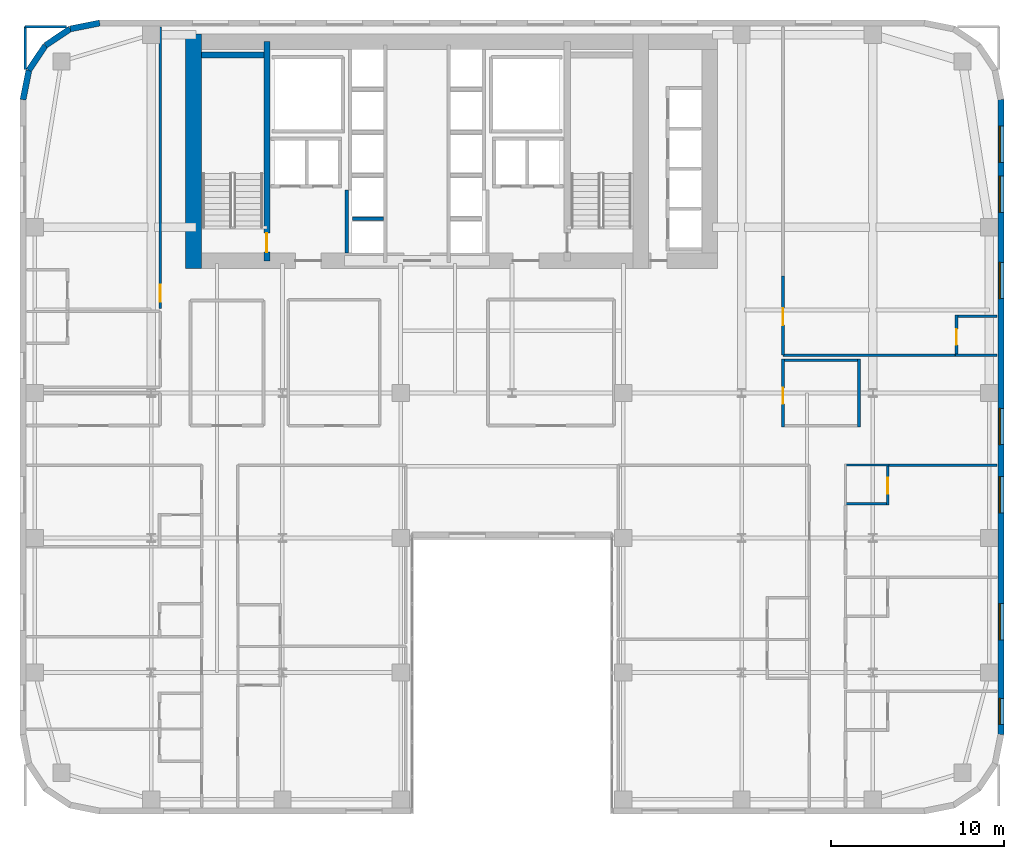
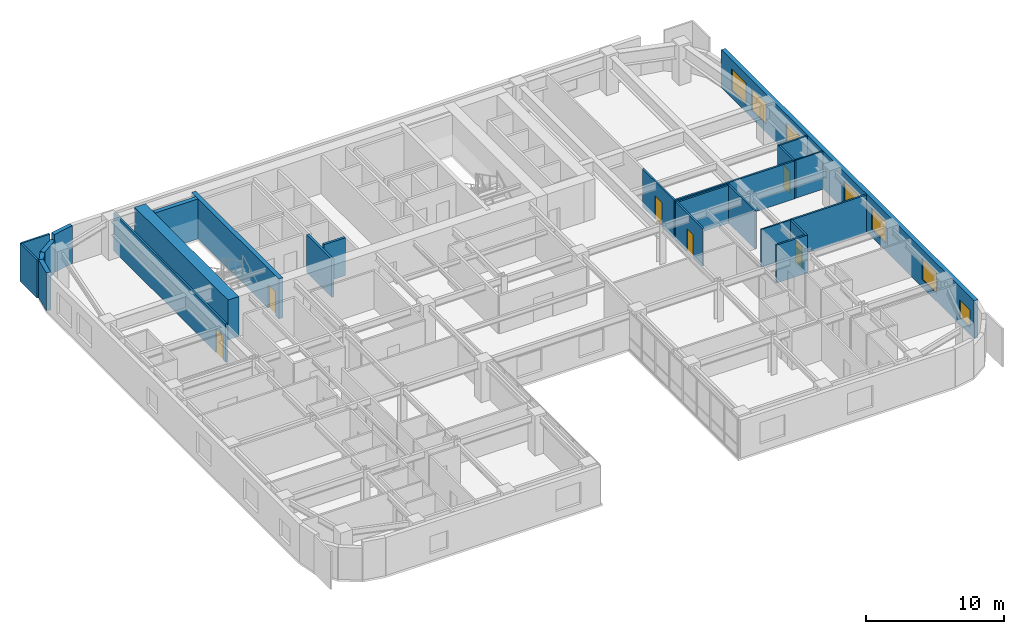
# One storey, part 13 of 16: 25 walls, 7 windows, 6 doors, 13 openings.
"""IFC4 building model written with IfcOpenShell, lengths in metres."""

from ifc_helpers import new_model, si_unit, direction, frame, frame_2d, origin, place, context, subcontext, project, spatial, rectangle, extrude, source, transform, mapped, material, layer, layer_set, type_object, type_shapes, element, fill, save


model = new_model("IFC4")

# Units and contexts
model_context = context("Model", 3, precision=1e-05, world=origin(), true_north=direction((0.0, 1.0)))
body_context = subcontext(model_context, "Body", "Model", "MODEL_VIEW")
ifc_project = project(units=[si_unit("LENGTHUNIT", "METRE"), si_unit("AREAUNIT", "SQUARE_METRE"), si_unit("VOLUMEUNIT", "CUBIC_METRE"), si_unit("PLANEANGLEUNIT", "RADIAN"), si_unit("MASSUNIT", "GRAM", prefix="KILO")], contexts=[model_context])

# Site, building, storey
site_placement = place(None, origin())
site = spatial("IfcSite", under=ifc_project, at=site_placement, CompositionType="ELEMENT")
building_placement = place(site_placement, origin())
building = spatial("IfcBuilding", under=site, at=building_placement, Name="Tolvann Quenvar Hotel", CompositionType="ELEMENT")
storey_placement = place(building_placement, frame((0.0, 0.0, 63.949951171875)))
storey = spatial("IfcBuildingStorey", under=building, at=storey_placement, Name="L15", CompositionType="ELEMENT", Elevation=63.949951171875)

# Wall
ifc_material_1 = material(Name="Concrete S80 (80 MPa)", Category="concrete")
ifc_layer_1 = layer(ifc_material_1, 0.89990234375)
ifc_layer_set_1 = layer_set([ifc_layer_1], Name="Concrete S80 (80 MPa)")
wall_type_1 = type_object("IfcWallType", Name="WALL_CORE_900", PredefinedType="SHEAR", material=ifc_layer_set_1)
wall_1_placement = place(storey_placement, frame((10.050048828125, 31.60009765625, 0.0), z_axis=(0.0, 0.0, 1.0), x_axis=(0.0, 1.0, 0.0)))
element("IfcWall", 1, at=wall_1_placement, inside=storey, type_object=wall_type_1, Name="Rear Core W Shear Wall (L15)", PredefinedType="SHEAR", context=body_context, shape_type="SweptSolid", body=[
    extrude(rectangle(XDim=13.599853515625, YDim=0.89990234375, at=frame_2d((6.7998046875, 0.0))), origin(), (0.0, 0.0, 1.0), 3.550048828125),
])

# Wall, opening, door
ifc_material_2 = material(Name="Concrete S65 (65 MPa)", Category="concrete")
ifc_layer_2 = layer(ifc_material_2, 0.35009765625)
ifc_layer_set_2 = layer_set([ifc_layer_2], Name="Concrete S65 (65 MPa)")
wall_type_2 = type_object("IfcWallType", Name="WALL_CORE_INT_350", PredefinedType="SHEAR", material=ifc_layer_set_2)
wall_2_placement = place(storey_placement, frame((14.300048828125, 32.050048828125, 0.0), z_axis=(0.0, 0.0, 1.0), x_axis=(0.0, 1.0, 0.0)))
wall_2 = element("IfcWall", 2, at=wall_2_placement, inside=storey, type_object=wall_type_2, Name="Core Internal Web Shear Wall WEB-W (L15)", PredefinedType="SHEAR", context=body_context, shape_type="SweptSolid", body=[
    extrude(rectangle(XDim=12.699951171875, YDim=0.35009765625, at=frame_2d((6.35009765625, 0.0))), origin(), (0.0, 0.0, 1.0), 3.550048828125),
])
opening_1_placement = place(wall_2_placement, frame((0.5, 0.0, 0.0)))
opening_1 = element("IfcOpeningElement", 3, at=opening_1_placement, cuts=wall_2, Name="Opening FD-120", PredefinedType="OPENING", context=body_context, shape_type="SweptSolid", body=[
    extrude(rectangle(XDim=1.10009765625, YDim=2.1201171875, at=frame_2d((0.550048828125, 1.06005859375))), frame((0.0, 0.18505859375, 0.0), z_axis=(0.0, -1.0, 0.0), x_axis=(1.0, 0.0, 0.0)), (0.0, 0.0, 1.0), 0.3701171875),
])
ifc_material_3 = material(Name="Pressed galvanised steel fire-rated door set", Category="steel")
door_type_1 = type_object("IfcDoorType", Name="DOOR_FIRE_STAIR_1100", OperationType="NOTDEFINED", PredefinedType="DOOR", material=ifc_material_3)
shared_shape_1 = source(origin(), body_context, "Body", "SweptSolid", [
    extrude(rectangle(XDim=1.10009765625, YDim=2.1201171875, at=frame_2d((0.550048828125, 1.06005859375))), frame((0.0, 0.02490234375, 0.0), z_axis=(0.0, -1.0, 0.0), x_axis=(1.0, 0.0, 0.0)), (0.0, 0.0, 1.0), 0.050048828125),
])
type_shapes(door_type_1, [shared_shape_1])
door_1_placement = place(opening_1_placement, origin())
door_1 = element("IfcDoor", 4, at=door_1_placement, inside=storey, type_object=door_type_1, Name="Exit Stair ST-C1 Fire Door (L15)", OperationType="SINGLE_SWING_RIGHT", OverallHeight=2.1201171875, OverallWidth=1.10009765625, PredefinedType="DOOR", context=body_context, shape_type="MappedRepresentation", body=[
    mapped(shared_shape_1, transform((0.0, 0.0, 0.0), x_axis=(1.0, 0.0, 0.0), y_axis=(0.0, 1.0, 0.0), z_axis=(0.0, 0.0, 1.0), scale=1.0)),
])
fill(opening_1, door_1)

# Wall
wall_3_placement = place(storey_placement, frame((10.52001953125, 43.97509765625, 0.0), z_axis=(0.0, 0.0, 1.0), x_axis=(1.0, 0.0, 0.0)))
element("IfcWall", 5, at=wall_3_placement, inside=storey, type_object=wall_type_2, Name="Core Stair North Closing Shear Wall STC1-N (L15)", PredefinedType="SHEAR", context=body_context, shape_type="SweptSolid", body=[
    extrude(rectangle(XDim=3.60009765625, YDim=0.35009765625, at=frame_2d((1.800048828125, 0.0))), origin(), (0.0, 0.0, 1.0), 3.550048828125),
])

# Wall, openings, windows
ifc_material_4 = material(Name="Kiln-fired red and buff architectural clay brickwork and terracotta masonry", Category="masonry")
ifc_layer_3 = layer(ifc_material_4, 0.35009765625)
ifc_layer_set_3 = layer_set([ifc_layer_3], Name="Kiln-fired red and buff architectural clay brickwork and terracotta masonry")
wall_type_3 = type_object("IfcWallType", Name="WALL_EXT_BRICK_350", PredefinedType="SOLIDWALL", material=ifc_layer_set_3)
wall_4_placement = place(storey_placement, frame((56.824951171875, 4.6171875, 0.0), z_axis=(0.0, 0.0, 1.0), x_axis=(0.0, 1.0, 0.0)))
wall_4 = element("IfcWall", 6, at=wall_4_placement, inside=storey, type_object=wall_type_3, Name="Exterior Chicago Brick Wall L15-E13", PredefinedType="SOLIDWALL", context=body_context, shape_type="SweptSolid", body=[
    extrude(rectangle(XDim=36.765625, YDim=0.35009765625, at=frame_2d((18.3828125, 0.0))), origin(), (0.0, 0.0, 1.0), 3.3701171875),
])
opening_2_placement = place(wall_4_placement, frame((5.47802734375, 0.0, 0.679931640625)))
opening_2 = element("IfcOpeningElement", 7, at=opening_2_placement, cuts=wall_4, Name="Opening W-02", PredefinedType="OPENING", context=body_context, shape_type="SweptSolid", body=[
    extrude(rectangle(XDim=2.10009765625, YDim=1.89990234375, at=frame_2d((1.050048828125, 0.949951171875))), frame((0.0, 0.18505859375, 0.0), z_axis=(0.0, -1.0, 0.0), x_axis=(1.0, 0.0, 0.0)), (0.0, 0.0, 1.0), 0.3701171875),
])
opening_3_placement = place(wall_4_placement, frame((12.8310546875, 0.0, 0.679931640625)))
opening_3 = element("IfcOpeningElement", 8, at=opening_3_placement, cuts=wall_4, Name="Opening W-02", PredefinedType="OPENING", context=body_context, shape_type="SweptSolid", body=[
    extrude(rectangle(XDim=2.10009765625, YDim=1.89990234375, at=frame_2d((1.050048828125, 0.949951171875))), frame((0.0, 0.18505859375, 0.0), z_axis=(0.0, -1.0, 0.0), x_axis=(1.0, 0.0, 0.0)), (0.0, 0.0, 1.0), 0.3701171875),
])
opening_4_placement = place(wall_4_placement, frame((16.782958984375, 0.0, 0.679931640625)))
opening_4 = element("IfcOpeningElement", 9, at=opening_4_placement, cuts=wall_4, Name="Opening W-02", PredefinedType="OPENING", context=body_context, shape_type="SweptSolid", body=[
    extrude(rectangle(XDim=2.10009765625, YDim=1.89990234375, at=frame_2d((1.050048828125, 0.949951171875))), frame((0.0, 0.18505859375, 0.0), z_axis=(0.0, -1.0, 0.0), x_axis=(1.0, 0.0, 0.0)), (0.0, 0.0, 1.0), 0.3701171875),
])
opening_5_placement = place(wall_4_placement, frame((25.236083984375, 0.0, 0.679931640625)))
opening_5 = element("IfcOpeningElement", 10, at=opening_5_placement, cuts=wall_4, Name="Opening W-02", PredefinedType="OPENING", context=body_context, shape_type="SweptSolid", body=[
    extrude(rectangle(XDim=2.10009765625, YDim=1.89990234375, at=frame_2d((1.050048828125, 0.949951171875))), frame((0.0, 0.18505859375, 0.0), z_axis=(0.0, -1.0, 0.0), x_axis=(1.0, 0.0, 0.0)), (0.0, 0.0, 1.0), 0.3701171875),
])
opening_6_placement = place(wall_4_placement, frame((30.238037109375, 0.0, 0.679931640625)))
opening_6 = element("IfcOpeningElement", 11, at=opening_6_placement, cuts=wall_4, Name="Opening W-02", PredefinedType="OPENING", context=body_context, shape_type="SweptSolid", body=[
    extrude(rectangle(XDim=2.10009765625, YDim=1.89990234375, at=frame_2d((1.050048828125, 0.949951171875))), frame((0.0, 0.18505859375, 0.0), z_axis=(0.0, -1.0, 0.0), x_axis=(1.0, 0.0, 0.0)), (0.0, 0.0, 1.0), 0.3701171875),
])
opening_7_placement = place(wall_4_placement, frame((33.139892578125, 0.0, 0.679931640625)))
opening_7 = element("IfcOpeningElement", 12, at=opening_7_placement, cuts=wall_4, Name="Opening W-02", PredefinedType="OPENING", context=body_context, shape_type="SweptSolid", body=[
    extrude(rectangle(XDim=2.10009765625, YDim=1.89990234375, at=frame_2d((1.050048828125, 0.949951171875))), frame((0.0, 0.18505859375, 0.0), z_axis=(0.0, -1.0, 0.0), x_axis=(1.0, 0.0, 0.0)), (0.0, 0.0, 1.0), 0.3701171875),
])
opening_8_placement = place(wall_4_placement, frame((0.5859375, 0.0, 0.6201171875)))
opening_8 = element("IfcOpeningElement", 13, at=opening_8_placement, cuts=wall_4, Name="Opening W-08", PredefinedType="OPENING", context=body_context, shape_type="SweptSolid", body=[
    extrude(rectangle(XDim=1.5, YDim=1.550048828125, at=frame_2d((0.75, 0.77490234375))), frame((0.0, 0.18505859375, 0.0), z_axis=(0.0, -1.0, 0.0), x_axis=(1.0, 0.0, 0.0)), (0.0, 0.0, 1.0), 0.3701171875),
])
ifc_material_5 = material(Name="Thermally broken bronze-anodised aluminium frame with double low-E glazing", Category="aluminium")
window_type_1 = type_object("IfcWindowType", Name="WIN_COR_1500x2050", PartitioningType="SINGLE_PANEL", PredefinedType="WINDOW", material=ifc_material_5)
shared_shape_2 = source(origin(), body_context, "Body", "SweptSolid", [
    extrude(rectangle(XDim=1.5, YDim=1.550048828125, at=frame_2d((0.75, 0.77490234375))), frame((0.0, 0.090087890625, 0.0), z_axis=(0.0, -1.0, 0.0), x_axis=(1.0, 0.0, 0.0)), (0.0, 0.0, 1.0), 0.06005859375),
])
type_shapes(window_type_1, [shared_shape_2])
window_1_placement = place(opening_8_placement, origin())
window_1 = element("IfcWindow", 14, at=window_1_placement, inside=storey, type_object=window_type_1, Name="Chicago Window W-08 (EW-L15-E13-WD07)", OverallHeight=1.550048828125, OverallWidth=1.5, PartitioningType="SINGLE_PANEL", PredefinedType="WINDOW", context=body_context, shape_type="MappedRepresentation", body=[
    mapped(shared_shape_2, transform((0.0, 0.0, 0.0), x_axis=(1.0, 0.0, 0.0), y_axis=(0.0, 1.0, 0.0), z_axis=(0.0, 0.0, 1.0), scale=1.0)),
])
fill(opening_8, window_1)
window_type_2 = type_object("IfcWindowType", Name="WIN_CHI_2100x2050", PartitioningType="TRIPLE_PANEL_HORIZONTAL", PredefinedType="WINDOW", material=ifc_material_5)
shared_shape_3 = source(origin(), body_context, "Body", "SweptSolid", [
    extrude(rectangle(XDim=2.10009765625, YDim=1.89990234375, at=frame_2d((1.050048828125, 0.949951171875))), frame((0.0, 0.090087890625, 0.0), z_axis=(0.0, -1.0, 0.0), x_axis=(1.0, 0.0, 0.0)), (0.0, 0.0, 1.0), 0.06005859375),
])
type_shapes(window_type_2, [shared_shape_3])
window_2_placement = place(opening_2_placement, origin())
window_2 = element("IfcWindow", 15, at=window_2_placement, inside=storey, type_object=window_type_2, Name="Chicago Window W-02 (EW-L15-E13-W01)", OverallHeight=1.89990234375, OverallWidth=2.10009765625, PartitioningType="TRIPLE_PANEL_HORIZONTAL", PredefinedType="WINDOW", context=body_context, shape_type="MappedRepresentation", body=[
    mapped(shared_shape_3, transform((0.0, 0.0, 0.0), x_axis=(1.0, 0.0, 0.0), y_axis=(0.0, 1.0, 0.0), z_axis=(0.0, 0.0, 1.0), scale=1.0)),
])
fill(opening_2, window_2)
window_3_placement = place(opening_3_placement, origin())
window_3 = element("IfcWindow", 16, at=window_3_placement, inside=storey, type_object=window_type_2, Name="Chicago Window W-02 (EW-L15-E13-W02)", OverallHeight=1.89990234375, OverallWidth=2.10009765625, PartitioningType="TRIPLE_PANEL_HORIZONTAL", PredefinedType="WINDOW", context=body_context, shape_type="MappedRepresentation", body=[
    mapped(shared_shape_3, transform((0.0, 0.0, 0.0), x_axis=(1.0, 0.0, 0.0), y_axis=(0.0, 1.0, 0.0), z_axis=(0.0, 0.0, 1.0), scale=1.0)),
])
fill(opening_3, window_3)
window_4_placement = place(opening_4_placement, origin())
window_4 = element("IfcWindow", 17, at=window_4_placement, inside=storey, type_object=window_type_2, Name="Chicago Window W-02 (EW-L15-E13-W03)", OverallHeight=1.89990234375, OverallWidth=2.10009765625, PartitioningType="TRIPLE_PANEL_HORIZONTAL", PredefinedType="WINDOW", context=body_context, shape_type="MappedRepresentation", body=[
    mapped(shared_shape_3, transform((0.0, 0.0, 0.0), x_axis=(1.0, 0.0, 0.0), y_axis=(0.0, 1.0, 0.0), z_axis=(0.0, 0.0, 1.0), scale=1.0)),
])
fill(opening_4, window_4)
window_5_placement = place(opening_5_placement, origin())
window_5 = element("IfcWindow", 18, at=window_5_placement, inside=storey, type_object=window_type_2, Name="Chicago Window W-02 (EW-L15-E13-W04)", OverallHeight=1.89990234375, OverallWidth=2.10009765625, PartitioningType="TRIPLE_PANEL_HORIZONTAL", PredefinedType="WINDOW", context=body_context, shape_type="MappedRepresentation", body=[
    mapped(shared_shape_3, transform((0.0, 0.0, 0.0), x_axis=(1.0, 0.0, 0.0), y_axis=(0.0, 1.0, 0.0), z_axis=(0.0, 0.0, 1.0), scale=1.0)),
])
fill(opening_5, window_5)
window_6_placement = place(opening_6_placement, origin())
window_6 = element("IfcWindow", 19, at=window_6_placement, inside=storey, type_object=window_type_2, Name="Chicago Window W-02 (EW-L15-E13-W05)", OverallHeight=1.89990234375, OverallWidth=2.10009765625, PartitioningType="TRIPLE_PANEL_HORIZONTAL", PredefinedType="WINDOW", context=body_context, shape_type="MappedRepresentation", body=[
    mapped(shared_shape_3, transform((0.0, 0.0, 0.0), x_axis=(1.0, 0.0, 0.0), y_axis=(0.0, 1.0, 0.0), z_axis=(0.0, 0.0, 1.0), scale=1.0)),
])
fill(opening_6, window_6)
window_7_placement = place(opening_7_placement, origin())
window_7 = element("IfcWindow", 20, at=window_7_placement, inside=storey, type_object=window_type_2, Name="Chicago Window W-02 (EW-L15-E13-W06)", OverallHeight=1.89990234375, OverallWidth=2.10009765625, PartitioningType="TRIPLE_PANEL_HORIZONTAL", PredefinedType="WINDOW", context=body_context, shape_type="MappedRepresentation", body=[
    mapped(shared_shape_3, transform((0.0, 0.0, 0.0), x_axis=(1.0, 0.0, 0.0), y_axis=(0.0, 1.0, 0.0), z_axis=(0.0, 0.0, 1.0), scale=1.0)),
])
fill(opening_7, window_7)

# Walls
wall_5_placement = place(storey_placement, frame((4.6171875, 45.824951171875, 0.0), z_axis=(0.0, 0.0, 1.0), x_axis=(-0.980800971659, -0.195011420161, 0.0)))
element("IfcWall", 21, at=wall_5_placement, inside=storey, type_object=wall_type_3, Name="Exterior Chicago Brick Wall L15-E19", PredefinedType="SOLIDWALL", context=body_context, shape_type="SweptSolid", body=[
    extrude(rectangle(XDim=1.74267578125, YDim=0.35009765625, at=frame_2d((0.871337890625, 0.0))), origin(), (0.0, 0.0, 1.0), 3.3701171875),
])
for number, where, z_axis, x_axis, name in (
    (22, (2.907958984375, 45.485107421875, 0.0), (0.0, 0.0, 1.0), (-0.831483840845, -0.55554893791, 0.0), "Exterior Chicago Brick Wall L15-E20"),
    (23, (1.473388671875, 44.526611328125, 0.0), (0.0, 0.0, 1.0), (-0.55554893791, -0.831483840845, 0.0), "Exterior Chicago Brick Wall L15-E21"),
):
    element("IfcWall", number, at=place(storey_placement, frame(where, z_axis=z_axis, x_axis=x_axis)), inside=storey, type_object=wall_type_3, Name=name, PredefinedType="SOLIDWALL", context=body_context, shape_type="SweptSolid", body=[
        extrude(rectangle(XDim=1.725341796875, YDim=0.35009765625, at=frame_2d((0.86279296875, 0.0))), origin(), (0.0, 0.0, 1.0), 2.83203125),
    ])
wall_6_placement = place(storey_placement, frame((0.514892578125, 43.092041015625, 0.0), z_axis=(0.0, 0.0, 1.0), x_axis=(-0.195011420161, -0.980800971659, 0.0)))
element("IfcWall", 24, at=wall_6_placement, inside=storey, type_object=wall_type_3, Name="Exterior Chicago Brick Wall L15-E22", PredefinedType="SOLIDWALL", context=body_context, shape_type="SweptSolid", body=[
    extrude(rectangle(XDim=1.74267578125, YDim=0.35009765625, at=frame_2d((0.871337890625, 0.0))), origin(), (0.0, 0.0, 1.0), 3.3701171875),
])
ifc_material_6 = material(Name="Moisture-resistant acoustic plumbing wall assembly")
ifc_layer_4 = layer(ifc_material_6, 0.1201171875)
ifc_layer_set_4 = layer_set([ifc_layer_4], Name="Moisture-resistant acoustic plumbing wall assembly")
wall_type_4 = type_object("IfcWallType", Name="WALL_PART_BATH_120", PredefinedType="PLUMBINGWALL", material=ifc_layer_set_4)
wall_7_placement = place(storey_placement, frame((47.75, 20.219970703125, 0.0), z_axis=(0.0, 0.0, 1.0), x_axis=(1.0, 0.0, 0.0)))
element("IfcWall", 25, at=wall_7_placement, inside=storey, type_object=wall_type_4, Name="Non-Rated Plumbing Partition PT-SPC-L15-ENS-EO03-N", PredefinedType="PLUMBINGWALL", context=body_context, shape_type="SweptSolid", body=[
    extrude(rectangle(XDim=2.590087890625, YDim=0.1201171875, at=frame_2d((1.294921875, 0.0))), origin(), (0.0, 0.0, 1.0), 3.3701171875),
])
wall_8_placement = place(storey_placement, frame((54.179931640625, 26.580078125, 0.0), z_axis=(0.0, 0.0, 1.0), x_axis=(1.0, 0.0, 0.0)))
element("IfcWall", 26, at=wall_8_placement, inside=storey, type_object=wall_type_4, Name="Non-Rated Plumbing Partition PT-SPC-L15-ENS-NE01-S", PredefinedType="PLUMBINGWALL", context=body_context, shape_type="SweptSolid", body=[
    extrude(rectangle(XDim=2.4150390625, YDim=0.1201171875, at=frame_2d((1.20751953125, 0.0))), origin(), (0.0, 0.0, 1.0), 3.3701171875),
])

# Wall, opening, door
ifc_material_7 = material(Name="Acoustic twin-stud fire-rated gypsum plasterboard partition")
ifc_layer_5 = layer(ifc_material_7, 0.14990234375)
ifc_layer_set_5 = layer_set([ifc_layer_5], Name="Acoustic twin-stud fire-rated gypsum plasterboard partition")
wall_type_5 = type_object("IfcWallType", Name="WALL_PART_SUITE_150", PredefinedType="PARTITIONING", material=ifc_layer_set_5)
wall_9_placement = place(storey_placement, frame((50.27001953125, 17.89990234375, 0.0), z_axis=(0.0, 0.0, 1.0), x_axis=(0.0, 1.0, 0.0)))
wall_9 = element("IfcWall", 27, at=wall_9_placement, inside=storey, type_object=wall_type_5, Name="Interior Partition PT-SPC-L15-ENS-EO03-ENT", PredefinedType="PARTITIONING", context=body_context, shape_type="SweptSolid", body=[
    extrude(rectangle(XDim=2.39013671875, YDim=0.14990234375, at=frame_2d((1.195068359375, 0.0))), origin(), (0.0, 0.0, 1.0), 3.3701171875),
])
opening_9_placement = place(wall_9_placement, frame((0.6650390625, 0.0, 0.0)))
opening_9 = element("IfcOpeningElement", 28, at=opening_9_placement, cuts=wall_9, Name="Opening WD-01", PredefinedType="OPENING", context=body_context, shape_type="SweptSolid", body=[
    extrude(rectangle(XDim=0.919921875, YDim=2.010009765625, at=frame_2d((0.4599609375, 1.0048828125))), frame((0.0, 0.0849609375, 0.0), z_axis=(0.0, -1.0, 0.0), x_axis=(1.0, 0.0, 0.0)), (0.0, 0.0, 1.0), 0.169921875),
])
ifc_material_8 = material(Name="Solid-core American oak acoustic fire door leaf in steel frame", Category="steel")
door_type_2 = type_object("IfcDoorType", Name="DOOR_WC_920", OperationType="NOTDEFINED", PredefinedType="DOOR", material=ifc_material_8)
shared_shape_4 = source(origin(), body_context, "Body", "SweptSolid", [
    extrude(rectangle(XDim=0.919921875, YDim=2.010009765625, at=frame_2d((0.4599609375, 1.0048828125))), frame((0.0, 0.02490234375, 0.0), z_axis=(0.0, -1.0, 0.0), x_axis=(1.0, 0.0, 0.0)), (0.0, 0.0, 1.0), 0.050048828125),
])
type_shapes(door_type_2, [shared_shape_4])
door_2_placement = place(opening_9_placement, origin())
door_2 = element("IfcDoor", 29, at=door_2_placement, inside=storey, type_object=door_type_2, Name="Interior Door DOOR-SPC-L15-ENS-EO03", OperationType="SINGLE_SWING_RIGHT", OverallHeight=2.010009765625, OverallWidth=0.919921875, PredefinedType="DOOR", context=body_context, shape_type="MappedRepresentation", body=[
    mapped(shared_shape_4, transform((0.0, 0.0, 0.0), x_axis=(1.0, 0.0, 0.0), y_axis=(0.0, 1.0, 0.0), z_axis=(0.0, 0.0, 1.0), scale=1.0)),
])
fill(opening_9, door_2)

# Wall
wall_10_placement = place(storey_placement, frame((47.75, 17.969970703125, 0.0), z_axis=(0.0, 0.0, 1.0), x_axis=(1.0, 0.0, 0.0)))
element("IfcWall", 30, at=wall_10_placement, inside=storey, type_object=wall_type_5, Name="Interior Partition PT-SPC-L15-ENS-EO03-S", PredefinedType="PARTITIONING", context=body_context, shape_type="SweptSolid", body=[
    extrude(rectangle(XDim=2.590087890625, YDim=0.14990234375, at=frame_2d((1.294921875, 0.0))), origin(), (0.0, 0.0, 1.0), 3.3701171875),
])

# Wall, opening, door
wall_11_placement = place(storey_placement, frame((54.25, 26.510009765625, 0.0), z_axis=(0.0, 0.0, 1.0), x_axis=(0.0, 1.0, 0.0)))
wall_11 = element("IfcWall", 31, at=wall_11_placement, inside=storey, type_object=wall_type_5, Name="Interior Partition PT-SPC-L15-ENS-NE01-ENT", PredefinedType="PARTITIONING", context=body_context, shape_type="SweptSolid", body=[
    extrude(rectangle(XDim=2.389892578125, YDim=0.14990234375, at=frame_2d((1.19482421875, 0.0))), origin(), (0.0, 0.0, 1.0), 3.3701171875),
])
opening_10_placement = place(wall_11_placement, frame((0.6650390625, 0.0, 0.0)))
opening_10 = element("IfcOpeningElement", 32, at=opening_10_placement, cuts=wall_11, Name="Opening WD-01", PredefinedType="OPENING", context=body_context, shape_type="SweptSolid", body=[
    extrude(rectangle(XDim=0.919921875, YDim=2.010009765625, at=frame_2d((0.4599609375, 1.0048828125))), frame((0.0, 0.0849609375, 0.0), z_axis=(0.0, -1.0, 0.0), x_axis=(1.0, 0.0, 0.0)), (0.0, 0.0, 1.0), 0.169921875),
])
door_3_placement = place(opening_10_placement, origin())
door_3 = element("IfcDoor", 33, at=door_3_placement, inside=storey, type_object=door_type_2, Name="Interior Door DOOR-SPC-L15-ENS-NE01", OperationType="SINGLE_SWING_LEFT", OverallHeight=2.010009765625, OverallWidth=0.919921875, PredefinedType="DOOR", context=body_context, shape_type="MappedRepresentation", body=[
    mapped(shared_shape_4, transform((0.0, 0.0, 0.0), x_axis=(1.0, 0.0, 0.0), y_axis=(0.0, 1.0, 0.0), z_axis=(0.0, 0.0, 1.0), scale=1.0)),
])
fill(opening_10, door_3)

# Walls
wall_12_placement = place(storey_placement, frame((54.179931640625, 28.830078125, 0.0), z_axis=(0.0, 0.0, 1.0), x_axis=(1.0, 0.0, 0.0)))
element("IfcWall", 34, at=wall_12_placement, inside=storey, type_object=wall_type_5, Name="Interior Partition PT-SPC-L15-ENS-NE01-N", PredefinedType="PARTITIONING", context=body_context, shape_type="SweptSolid", body=[
    extrude(rectangle(XDim=2.4150390625, YDim=0.14990234375, at=frame_2d((1.20751953125, 0.0))), origin(), (0.0, 0.0, 1.0), 3.3701171875),
])
wall_13_placement = place(storey_placement, frame((50.2900390625, 20.219970703125, 0.0), z_axis=(0.0, 0.0, 1.0), x_axis=(1.0, 0.0, 0.0)))
element("IfcWall", 35, at=wall_13_placement, inside=storey, type_object=wall_type_5, Name="Interior Partition PT-SPC-L15-RM-EO03-E3", PredefinedType="PARTITIONING", context=body_context, shape_type="SweptSolid", body=[
    extrude(rectangle(XDim=6.304931640625, YDim=0.14990234375, at=frame_2d((3.15234375, 0.0))), origin(), (0.0, 0.0, 1.0), 3.3701171875),
])

# Wall, opening, door
wall_14_placement = place(storey_placement, frame((8.1201171875, 29.280029296875, 0.0), z_axis=(0.0, 0.0, 1.0), x_axis=(0.0, 1.0, 0.0)))
wall_14 = element("IfcWall", 36, at=wall_14_placement, inside=storey, type_object=wall_type_5, Name="Interior Partition PT-SPC-L15-RM-NW02-ENT", PredefinedType="PARTITIONING", context=body_context, shape_type="SweptSolid", body=[
    extrude(rectangle(XDim=16.31494140625, YDim=0.14990234375, at=frame_2d((8.157470703125, 0.0))), origin(), (0.0, 0.0, 1.0), 3.3701171875),
])
opening_11_placement = place(wall_14_placement, frame((0.39501953125, 0.0, 0.0)))
opening_11 = element("IfcOpeningElement", 37, at=opening_11_placement, cuts=wall_14, Name="Opening SD-01", PredefinedType="OPENING", context=body_context, shape_type="SweptSolid", body=[
    extrude(rectangle(XDim=0.97998046875, YDim=2.1201171875, at=frame_2d((0.489990234375, 1.06005859375))), frame((0.0, 0.0849609375, 0.0), z_axis=(0.0, -1.0, 0.0), x_axis=(1.0, 0.0, 0.0)), (0.0, 0.0, 1.0), 0.169921875),
])
door_type_3 = type_object("IfcDoorType", Name="DOOR_SUITE_980", OperationType="NOTDEFINED", PredefinedType="DOOR", material=ifc_material_8)
shared_shape_5 = source(origin(), body_context, "Body", "SweptSolid", [
    extrude(rectangle(XDim=0.97998046875, YDim=2.1201171875, at=frame_2d((0.489990234375, 1.06005859375))), frame((0.0, 0.02490234375, 0.0), z_axis=(0.0, -1.0, 0.0), x_axis=(1.0, 0.0, 0.0)), (0.0, 0.0, 1.0), 0.050048828125),
])
type_shapes(door_type_3, [shared_shape_5])
door_4_placement = place(opening_11_placement, origin())
door_4 = element("IfcDoor", 38, at=door_4_placement, inside=storey, type_object=door_type_3, Name="Interior Door DOOR-SPC-L15-RM-NW02", OperationType="SINGLE_SWING_RIGHT", OverallHeight=2.1201171875, OverallWidth=0.97998046875, PredefinedType="DOOR", context=body_context, shape_type="MappedRepresentation", body=[
    mapped(shared_shape_5, transform((0.0, 0.0, 0.0), x_axis=(1.0, 0.0, 0.0), y_axis=(0.0, 1.0, 0.0), z_axis=(0.0, 0.0, 1.0), scale=1.0)),
])
fill(opening_11, door_4)

# Walls
wall_15_placement = place(storey_placement, frame((0.300048828125, 45.6201171875, 0.0), z_axis=(0.0, 0.0, 1.0), x_axis=(1.0, 0.0, 0.0)))
element("IfcWall", 39, at=wall_15_placement, inside=storey, type_object=wall_type_5, Name="Interior Partition PT-SPC-L15-RM-NW02-E5", PredefinedType="PARTITIONING", context=body_context, shape_type="SweptSolid", body=[
    extrude(rectangle(XDim=2.39599609375, YDim=0.14990234375, at=frame_2d((1.197998046875, 0.0))), origin(), (0.0, 0.0, 1.0), 3.3701171875),
])
wall_16_placement = place(storey_placement, frame((0.300048828125, 43.135009765625, 0.0), z_axis=(0.0, 0.0, 1.0), x_axis=(0.0, 1.0, 0.0)))
element("IfcWall", 40, at=wall_16_placement, inside=storey, type_object=wall_type_5, Name="Interior Partition PT-SPC-L15-RM-NW02-E6", PredefinedType="PARTITIONING", context=body_context, shape_type="SweptSolid", body=[
    extrude(rectangle(XDim=2.485107421875, YDim=0.14990234375, at=frame_2d((1.24267578125, 0.0))), origin(), (0.0, 0.0, 1.0), 3.3701171875),
])

# Wall, opening, door
wall_17_placement = place(storey_placement, frame((44.199951171875, 22.429931640625, 0.0), z_axis=(0.0, 0.0, 1.0), x_axis=(0.0, 1.0, 0.0)))
wall_17 = element("IfcWall", 41, at=wall_17_placement, inside=storey, type_object=wall_type_5, Name="Interior Partition PT-SPC-L15-WCA-ENT", PredefinedType="PARTITIONING", context=body_context, shape_type="SweptSolid", body=[
    extrude(rectangle(XDim=3.940185546875, YDim=0.14990234375, at=frame_2d((1.97021484375, 0.0))), origin(), (0.0, 0.0, 1.0), 3.3701171875),
])
opening_12_placement = place(wall_17_placement, frame((1.340087890625, 0.0, 0.0)))
opening_12 = element("IfcOpeningElement", 42, at=opening_12_placement, cuts=wall_17, Name="Opening WD-01", PredefinedType="OPENING", context=body_context, shape_type="SweptSolid", body=[
    extrude(rectangle(XDim=0.919921875, YDim=2.010009765625, at=frame_2d((0.4599609375, 1.0048828125))), frame((0.0, 0.0849609375, 0.0), z_axis=(0.0, -1.0, 0.0), x_axis=(1.0, 0.0, 0.0)), (0.0, 0.0, 1.0), 0.169921875),
])
door_5_placement = place(opening_12_placement, origin())
door_5 = element("IfcDoor", 43, at=door_5_placement, inside=storey, type_object=door_type_2, Name="Interior Door DOOR-SPC-L15-WCA", OperationType="SINGLE_SWING_LEFT", OverallHeight=2.010009765625, OverallWidth=0.919921875, PredefinedType="DOOR", context=body_context, shape_type="MappedRepresentation", body=[
    mapped(shared_shape_4, transform((0.0, 0.0, 0.0), x_axis=(1.0, 0.0, 0.0), y_axis=(0.0, 1.0, 0.0), z_axis=(0.0, 0.0, 1.0), scale=1.0)),
])
fill(opening_12, door_5)

# Walls
wall_18_placement = place(storey_placement, frame((44.1298828125, 26.300048828125, 0.0), z_axis=(0.0, 0.0, 1.0), x_axis=(1.0, 0.0, 0.0)))
element("IfcWall", 44, at=wall_18_placement, inside=storey, type_object=wall_type_5, Name="Interior Partition PT-SPC-L15-WCA-N", PredefinedType="PARTITIONING", context=body_context, shape_type="SweptSolid", body=[
    extrude(rectangle(XDim=4.5400390625, YDim=0.14990234375, at=frame_2d((2.27001953125, 0.0))), origin(), (0.0, 0.0, 1.0), 3.3701171875),
])
wall_19_placement = place(storey_placement, frame((48.60009765625, 22.429931640625, 0.0), z_axis=(0.0, 0.0, 1.0), x_axis=(0.0, 1.0, 0.0)))
element("IfcWall", 45, at=wall_19_placement, inside=storey, type_object=wall_type_5, Name="Interior Partition PT-SPC-L15-WCA-E", PredefinedType="PARTITIONING", context=body_context, shape_type="SweptSolid", body=[
    extrude(rectangle(XDim=3.940185546875, YDim=0.14990234375, at=frame_2d((1.97021484375, 0.0))), origin(), (0.0, 0.0, 1.0), 3.3701171875),
])

# Wall, opening, door
wall_20_placement = place(storey_placement, frame((44.199951171875, 26.580078125, 0.0), z_axis=(0.0, 0.0, 1.0), x_axis=(0.0, 1.0, 0.0)))
wall_20 = element("IfcWall", 46, at=wall_20_placement, inside=storey, type_object=wall_type_5, Name="Interior Partition PT-SPC-L15-RM-NE01-ENT", PredefinedType="PARTITIONING", context=body_context, shape_type="SweptSolid", body=[
    extrude(rectangle(XDim=4.579833984375, YDim=0.14990234375, at=frame_2d((2.2900390625, 0.0))), origin(), (0.0, 0.0, 1.0), 3.3701171875),
])
opening_13_placement = place(wall_20_placement, frame((1.7451171875, 0.0, 0.0)))
opening_13 = element("IfcOpeningElement", 47, at=opening_13_placement, cuts=wall_20, Name="Opening SD-01", PredefinedType="OPENING", context=body_context, shape_type="SweptSolid", body=[
    extrude(rectangle(XDim=0.97998046875, YDim=2.1201171875, at=frame_2d((0.489990234375, 1.06005859375))), frame((0.0, 0.0849609375, 0.0), z_axis=(0.0, -1.0, 0.0), x_axis=(1.0, 0.0, 0.0)), (0.0, 0.0, 1.0), 0.169921875),
])
door_6_placement = place(opening_13_placement, origin())
door_6 = element("IfcDoor", 48, at=door_6_placement, inside=storey, type_object=door_type_3, Name="Interior Door DOOR-SPC-L15-RM-NE01", OperationType="SINGLE_SWING_RIGHT", OverallHeight=2.1201171875, OverallWidth=0.97998046875, PredefinedType="DOOR", context=body_context, shape_type="MappedRepresentation", body=[
    mapped(shared_shape_5, transform((0.0, 0.0, 0.0), x_axis=(1.0, 0.0, 0.0), y_axis=(0.0, 1.0, 0.0), z_axis=(0.0, 0.0, 1.0), scale=1.0)),
])
fill(opening_13, door_6)

# Walls
wall_21_placement = place(storey_placement, frame((44.199951171875, 26.580078125, 0.0), z_axis=(0.0, 0.0, 1.0), x_axis=(1.0, 0.0, 0.0)))
element("IfcWall", 49, at=wall_21_placement, inside=storey, type_object=wall_type_5, Name="Interior Partition PT-SPC-L15-RM-NE01-E1", PredefinedType="PARTITIONING", context=body_context, shape_type="SweptSolid", body=[
    extrude(rectangle(XDim=10.030029296875, YDim=0.14990234375, at=frame_2d((5.01513671875, 0.0))), origin(), (0.0, 0.0, 1.0), 3.3701171875),
])
ifc_material_9 = material(Name="Concrete N40 (40 MPa)", Category="concrete")
ifc_layer_6 = layer(ifc_material_9, 0.199951171875)
ifc_layer_set_6 = layer_set([ifc_layer_6], Name="Concrete N40 (40 MPa)")
wall_type_6 = type_object("IfcWallType", Name="WALL_SHAFT_200", PredefinedType="SOLIDWALL", material=ifc_layer_set_6)
wall_22_placement = place(storey_placement, frame((18.919921875, 32.50390625, 0.0), z_axis=(0.0, 0.0, 1.0), x_axis=(0.0, 1.0, 0.0)))
element("IfcWall", 50, at=wall_22_placement, inside=storey, type_object=wall_type_6, Name="Firefighting Lobby W Inner Fire Wall (L15)", PredefinedType="SOLIDWALL", context=body_context, shape_type="SweptSolid", body=[
    extrude(rectangle(XDim=3.64599609375, YDim=0.199951171875, at=frame_2d((1.822998046875, 0.0))), origin(), (0.0, 0.0, 1.0), 3.3701171875),
])
wall_23_placement = place(storey_placement, frame((19.27001953125, 34.5, 0.0), z_axis=(0.0, 0.0, 1.0), x_axis=(1.0, 0.0, 0.0)))
element("IfcWall", 51, at=wall_23_placement, inside=storey, type_object=wall_type_6, Name="Lift Bank E21.1C1 Divider Wall 1 (L15)", PredefinedType="SOLIDWALL", context=body_context, shape_type="SweptSolid", body=[
    extrude(rectangle(XDim=1.800048828125, YDim=0.199951171875, at=frame_2d((0.89990234375, 0.0))), origin(), (0.0, 0.0, 1.0), 3.3701171875),
])

save(model, "model.ifc")
